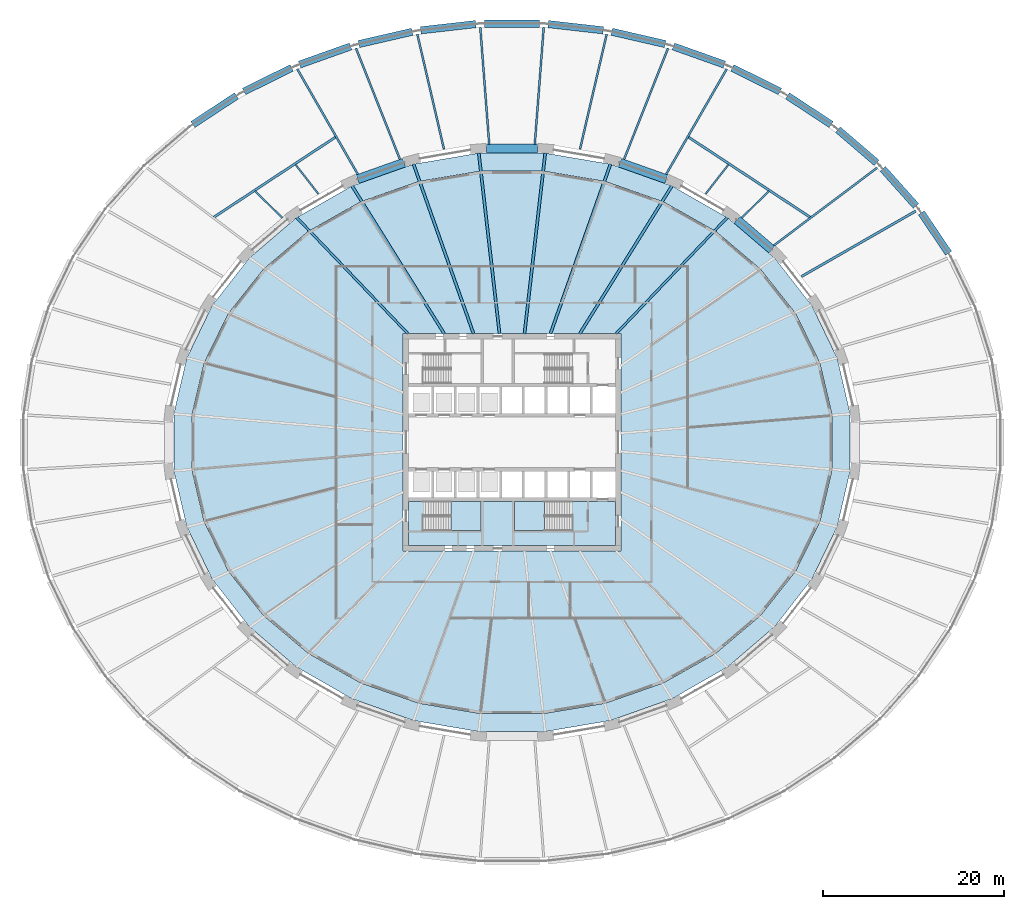
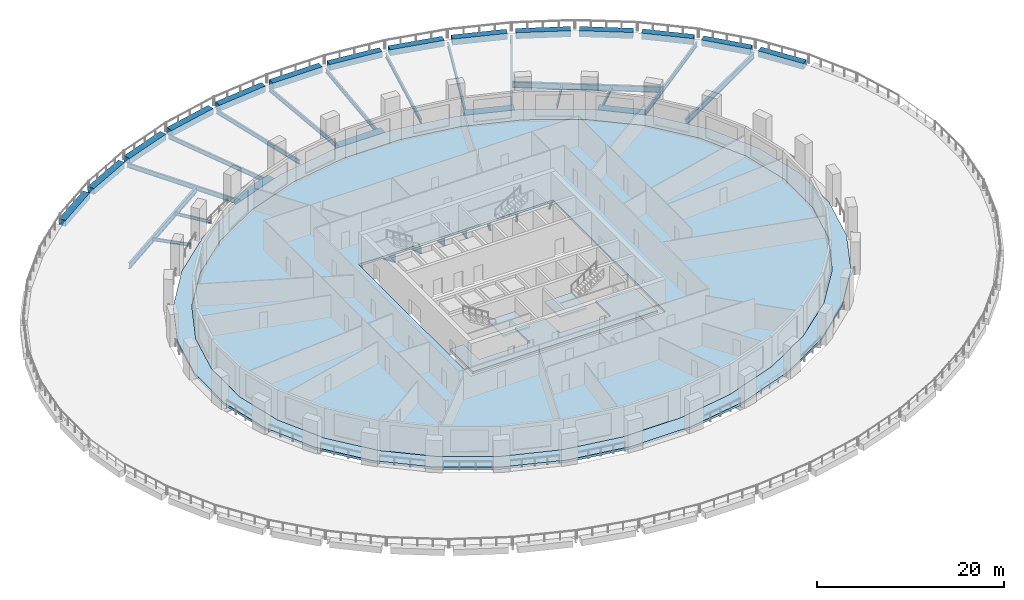
# One storey, part 3 of 16: 42 beams, 5 slabs, 2 elements without a shape of their own.
"""IFC4 building model written with IfcOpenShell, lengths in metres."""

from ifc_helpers import new_model, si_unit, direction, frame, origin, origin_2d, place, context, subcontext, project, spatial, polyline, rectangle, i_section, outline, extrude, material, layer, layer_set, material_profile, profile_set, type_object, element, aggregate, save


model = new_model("IFC4")

# Units and contexts
model_context = context("Model", 3, precision=1e-05, world=origin(), true_north=direction((0.0, 1.0)))
body_context = subcontext(model_context, "Body", "Model", "MODEL_VIEW")
ifc_project = project(units=[si_unit("LENGTHUNIT", "METRE"), si_unit("AREAUNIT", "SQUARE_METRE"), si_unit("VOLUMEUNIT", "CUBIC_METRE"), si_unit("PLANEANGLEUNIT", "RADIAN"), si_unit("MASSUNIT", "GRAM", prefix="KILO")], contexts=[model_context])

# Site, building, storey
site_placement = place(None, origin())
site = spatial("IfcSite", under=ifc_project, at=site_placement, CompositionType="ELEMENT")
building_placement = place(site_placement, origin())
building = spatial("IfcBuilding", under=site, at=building_placement, Name="Halqa Exchange Tower", CompositionType="ELEMENT")
storey_placement = place(building_placement, frame((0.0, 0.0, 23.5)))
storey = spatial("IfcBuildingStorey", under=building, at=storey_placement, Name="L04", CompositionType="ELEMENT", Elevation=23.5)

# Beams
ifc_material_1 = material(Name="Steel S355", Category="steel")
ifc_material_profile_1 = material_profile(ifc_material_1, i_section(OverallWidth=0.300048828125, OverallDepth=0.989990234375, WebThickness=0.0166015625, FlangeThickness=0.031005859375, FilletRadius=0.030029296875, at=origin_2d()), Name="HEA 1000")
ifc_profile_set_1 = profile_set([ifc_material_profile_1], Name="Steel S355")
beam_type_1 = type_object("IfcBeamType", Name="Floor beam HEA 1000", PredefinedType="BEAM", material=ifc_profile_set_1)
beam_1_placement = place(storey_placement, frame((7.46533203125, 11.971435546875, -0.794921875), z_axis=(0.529145823441, 0.848530905468, 0.0), x_axis=(-0.848530905468, 0.529145823441, 0.0)))
element("IfcBeam", 1, at=beam_1_placement, inside=storey, type_object=beam_type_1, Name="Radial beam 6", PredefinedType="BEAM", context=body_context, shape_type="SweptSolid", body=[
    extrude(i_section(OverallWidth=0.300048828125, OverallDepth=0.989990234375, WebThickness=0.0166015625, FlangeThickness=0.031005859375, FilletRadius=0.030029296875, at=origin_2d()), origin(), (0.0, 0.0, 1.0), 19.27294921875),
])
beam_2_placement = place(storey_placement, frame((4.23681640625, 11.971923828125, -0.794921875), z_axis=(0.333633039334, 0.942703025913, 0.0), x_axis=(-0.942703025913, 0.333633039334, 0.0)))
element("IfcBeam", 2, at=beam_2_placement, inside=storey, type_object=beam_type_1, Name="Radial beam 7", PredefinedType="BEAM", context=body_context, shape_type="SweptSolid", body=[
    extrude(i_section(OverallWidth=0.300048828125, OverallDepth=0.989990234375, WebThickness=0.0166015625, FlangeThickness=0.031005859375, FilletRadius=0.030029296875, at=origin_2d()), origin(), (0.0, 0.0, 1.0), 19.885009765625),
])
for number, where, z_axis, x_axis, name in (
    (3, (1.375732421875, 11.972900390625, -0.794921875), (0.114166838833, 0.99346159106, 0.0), (-0.99346159106, 0.114166838833, 0.0), "Radial beam 8"),
    (4, (-1.375732421875, 11.972900390625, -0.794921875), (-0.114166838833, 0.99346159106, 0.0), (-0.99346159106, -0.114166838833, 0.0), "Radial beam 9"),
):
    element("IfcBeam", number, at=place(storey_placement, frame(where, z_axis=z_axis, x_axis=x_axis)), inside=storey, type_object=beam_type_1, Name=name, PredefinedType="BEAM", context=body_context, shape_type="SweptSolid", body=[
        extrude(i_section(OverallWidth=0.300048828125, OverallDepth=0.989990234375, WebThickness=0.0166015625, FlangeThickness=0.031005859375, FilletRadius=0.030029296875, at=origin_2d()), origin(), (0.0, 0.0, 1.0), 20.103515625),
    ])
beam_3_placement = place(storey_placement, frame((-4.23681640625, 11.971923828125, -0.794921875), z_axis=(-0.333633039334, 0.942703025913, 0.0), x_axis=(-0.942703025913, -0.333633039334, 0.0)))
element("IfcBeam", 5, at=beam_3_placement, inside=storey, type_object=beam_type_1, Name="Radial beam 10", PredefinedType="BEAM", context=body_context, shape_type="SweptSolid", body=[
    extrude(i_section(OverallWidth=0.300048828125, OverallDepth=0.989990234375, WebThickness=0.0166015625, FlangeThickness=0.031005859375, FilletRadius=0.030029296875, at=origin_2d()), origin(), (0.0, 0.0, 1.0), 19.885009765625),
])
beam_4_placement = place(storey_placement, frame((-7.46533203125, 11.971435546875, -0.794921875), z_axis=(-0.529145823441, 0.848530905468, 0.0), x_axis=(-0.848530905468, -0.529145823441, 0.0)))
element("IfcBeam", 6, at=beam_4_placement, inside=storey, type_object=beam_type_1, Name="Radial beam 11", PredefinedType="BEAM", context=body_context, shape_type="SweptSolid", body=[
    extrude(i_section(OverallWidth=0.300048828125, OverallDepth=0.989990234375, WebThickness=0.0166015625, FlangeThickness=0.031005859375, FilletRadius=0.030029296875, at=origin_2d()), origin(), (0.0, 0.0, 1.0), 19.27294921875),
])
ifc_material_profile_2 = material_profile(ifc_material_1, i_section(OverallWidth=0.179931640625, OverallDepth=0.39990234375, WebThickness=0.008544921875, FlangeThickness=0.013427734375, FilletRadius=0.02099609375, at=origin_2d()), Name="IPE 400")
ifc_profile_set_2 = profile_set([ifc_material_profile_2], Name="Steel S355")
beam_type_2 = type_object("IfcBeamType", Name="Floor beam IPE 400", PredefinedType="BEAM", material=ifc_profile_set_2)
beam_5_placement = place(storey_placement, frame((25.322265625, 24.757080078125, -0.5), z_axis=(0.71503297556, 0.699090726488, 0.0), x_axis=(-0.699090726488, 0.71503297556, 0.0)))
element("IfcBeam", 7, at=beam_5_placement, inside=storey, type_object=beam_type_2, Name="Radial beam 7a", PredefinedType="BEAM", context=body_context, shape_type="SweptSolid", body=[
    extrude(i_section(OverallWidth=0.179931640625, OverallDepth=0.39990234375, WebThickness=0.008544921875, FlangeThickness=0.013427734375, FilletRadius=0.02099609375, at=origin_2d()), origin(), (0.0, 0.0, 1.0), 4.2265625),
])
for number, where, z_axis, x_axis, name in (
    (8, (21.3603515625, 27.40966796875, -0.5), (0.614710115699, 0.788753113247, 0.0), (-0.788753113247, 0.614710115699, 0.0), "Radial beam 8a"),
    (9, (-21.3603515625, 27.40966796875, -0.5), (-0.614710115699, 0.788753113247, 0.0), (-0.788753113247, -0.614710115699, 0.0), "Radial beam 17a"),
):
    element("IfcBeam", number, at=place(storey_placement, frame(where, z_axis=z_axis, x_axis=x_axis)), inside=storey, type_object=beam_type_2, Name=name, PredefinedType="BEAM", context=body_context, shape_type="SweptSolid", body=[
        extrude(i_section(OverallWidth=0.179931640625, OverallDepth=0.39990234375, WebThickness=0.008544921875, FlangeThickness=0.013427734375, FilletRadius=0.02099609375, at=origin_2d()), origin(), (0.0, 0.0, 1.0), 4.10595703125),
    ])
beam_6_placement = place(storey_placement, frame((-25.322265625, 24.757080078125, -0.5), z_axis=(-0.71503297556, 0.699090726488, 0.0), x_axis=(-0.699090726488, -0.71503297556, 0.0)))
element("IfcBeam", 10, at=beam_6_placement, inside=storey, type_object=beam_type_2, Name="Radial beam 18a", PredefinedType="BEAM", context=body_context, shape_type="SweptSolid", body=[
    extrude(i_section(OverallWidth=0.179931640625, OverallDepth=0.39990234375, WebThickness=0.008544921875, FlangeThickness=0.013427734375, FilletRadius=0.02099609375, at=origin_2d()), origin(), (0.0, 0.0, 1.0), 4.2265625),
])
ifc_material_profile_3 = material_profile(ifc_material_1, i_section(OverallWidth=0.2099609375, OverallDepth=0.550048828125, WebThickness=0.010986328125, FlangeThickness=0.01708984375, FilletRadius=0.02392578125, at=origin_2d()), Name="IPE 550")
ifc_profile_set_3 = profile_set([ifc_material_profile_3], Name="Steel S355")
beam_type_3 = type_object("IfcBeamType", Name="Floor beam IPE 550", PredefinedType="BEAM", material=ifc_profile_set_3)
beam_7_placement = place(storey_placement, frame((12.352294921875, 31.2001953125, -0.574951171875), z_axis=(0.368106640822, 0.929783577497, 0.0), x_axis=(-0.929783577497, 0.368106640822, 0.0)))
element("IfcBeam", 11, at=beam_7_placement, inside=storey, type_object=beam_type_3, Name="Radial beam 10", PredefinedType="BEAM", context=body_context, shape_type="SweptSolid", body=[
    extrude(i_section(OverallWidth=0.2099609375, OverallDepth=0.550048828125, WebThickness=0.010986328125, FlangeThickness=0.01708984375, FilletRadius=0.02392578125, at=origin_2d()), origin(), (0.0, 0.0, 1.0), 13.22412109375),
])
beam_8_placement = place(storey_placement, frame((7.5048828125, 32.35009765625, -0.574951171875), z_axis=(0.2259960959, 0.974128207495, 0.0), x_axis=(-0.974128207495, 0.2259960959, 0.0)))
element("IfcBeam", 12, at=beam_8_placement, inside=storey, type_object=beam_type_3, Name="Radial beam 11", PredefinedType="BEAM", context=body_context, shape_type="SweptSolid", body=[
    extrude(i_section(OverallWidth=0.2099609375, OverallDepth=0.550048828125, WebThickness=0.010986328125, FlangeThickness=0.01708984375, FilletRadius=0.02392578125, at=origin_2d()), origin(), (0.0, 0.0, 1.0), 13.03466796875),
])
for number, where, z_axis, x_axis, name in (
    (13, (2.513916015625, 32.88623046875, -0.574951171875), (0.076223337155, 0.997090769626, 0.0), (-0.997090769626, 0.076223337155, 0.0), "Radial beam 12"),
    (14, (-2.513916015625, 32.88623046875, -0.574951171875), (-0.076223337155, 0.997090769626, 0.0), (-0.997090769626, -0.076223337155, 0.0), "Radial beam 13"),
):
    element("IfcBeam", number, at=place(storey_placement, frame(where, z_axis=z_axis, x_axis=x_axis)), inside=storey, type_object=beam_type_3, Name=name, PredefinedType="BEAM", context=body_context, shape_type="SweptSolid", body=[
        extrude(i_section(OverallWidth=0.2099609375, OverallDepth=0.550048828125, WebThickness=0.010986328125, FlangeThickness=0.01708984375, FilletRadius=0.02392578125, at=origin_2d()), origin(), (0.0, 0.0, 1.0), 12.981689453125),
    ])
beam_9_placement = place(storey_placement, frame((-7.5048828125, 32.35009765625, -0.574951171875), z_axis=(-0.2259960959, 0.974128207495, 0.0), x_axis=(-0.974128207495, -0.2259960959, 0.0)))
element("IfcBeam", 15, at=beam_9_placement, inside=storey, type_object=beam_type_3, Name="Radial beam 14", PredefinedType="BEAM", context=body_context, shape_type="SweptSolid", body=[
    extrude(i_section(OverallWidth=0.2099609375, OverallDepth=0.550048828125, WebThickness=0.010986328125, FlangeThickness=0.01708984375, FilletRadius=0.02392578125, at=origin_2d()), origin(), (0.0, 0.0, 1.0), 13.03466796875),
])
beam_10_placement = place(storey_placement, frame((-12.352294921875, 31.2001953125, -0.574951171875), z_axis=(-0.368106640822, 0.929783577497, 0.0), x_axis=(-0.929783577497, -0.368106640822, 0.0)))
element("IfcBeam", 16, at=beam_10_placement, inside=storey, type_object=beam_type_3, Name="Radial beam 15", PredefinedType="BEAM", context=body_context, shape_type="SweptSolid", body=[
    extrude(i_section(OverallWidth=0.2099609375, OverallDepth=0.550048828125, WebThickness=0.010986328125, FlangeThickness=0.01708984375, FilletRadius=0.02392578125, at=origin_2d()), origin(), (0.0, 0.0, 1.0), 13.22412109375),
])
ifc_material_profile_4 = material_profile(ifc_material_1, i_section(OverallWidth=0.219970703125, OverallDepth=0.60009765625, WebThickness=0.011962890625, FlangeThickness=0.01904296875, FilletRadius=0.02392578125, at=origin_2d()), Name="IPE 600")
ifc_profile_set_4 = profile_set([ifc_material_profile_4], Name="Steel S355")
beam_type_4 = type_object("IfcBeamType", Name="Floor beam IPE 600", PredefinedType="BEAM", material=ifc_profile_set_4)
beam_11_placement = place(storey_placement, frame((28.875732421875, 21.71240234375, -0.60009765625), z_axis=(0.799257291391, 0.600989003359, 0.0), x_axis=(-0.600989003359, 0.799257291391, 0.0)))
element("IfcBeam", 17, at=beam_11_placement, inside=storey, type_object=beam_type_4, Name="Radial beam 6", PredefinedType="BEAM", context=body_context, shape_type="SweptSolid", body=[
    extrude(i_section(OverallWidth=0.219970703125, OverallDepth=0.60009765625, WebThickness=0.011962890625, FlangeThickness=0.01904296875, FilletRadius=0.02392578125, at=origin_2d()), origin(), (0.0, 0.0, 1.0), 14.291259765625),
])
for number, where, z_axis, x_axis, name in (
    (18, (16.996826171875, 29.551513671875, -0.60009765625), (0.498570786865, 0.866848989435, 0.0), (-0.866848989435, 0.498570786865, 0.0), "Radial beam 9"),
    (19, (-16.996826171875, 29.551513671875, -0.60009765625), (-0.498570786865, 0.866848989435, 0.0), (-0.866848989435, -0.498570786865, 0.0), "Radial beam 16"),
):
    element("IfcBeam", number, at=place(storey_placement, frame(where, z_axis=z_axis, x_axis=x_axis)), inside=storey, type_object=beam_type_4, Name=name, PredefinedType="BEAM", context=body_context, shape_type="SweptSolid", body=[
        extrude(i_section(OverallWidth=0.219970703125, OverallDepth=0.60009765625, WebThickness=0.011962890625, FlangeThickness=0.01904296875, FilletRadius=0.02392578125, at=origin_2d()), origin(), (0.0, 0.0, 1.0), 13.438720703125),
    ])
ifc_material_profile_5 = material_profile(ifc_material_1, i_section(OverallWidth=0.264892578125, OverallDepth=0.7529296875, WebThickness=0.01318359375, FlangeThickness=0.01708984375, FilletRadius=0.01708984375, at=origin_2d()), Name="IPE 750x147")
ifc_profile_set_5 = profile_set([ifc_material_profile_5], Name="Steel S355")
beam_type_5 = type_object("IfcBeamType", Name="Floor beam IPE 750x147", PredefinedType="BEAM", material=ifc_profile_set_5)
for number, where, z_axis, x_axis, name in (
    (20, (11.462890625, 11.97216796875, -0.676513671875), (0.691576067347, 0.722303636342, 0.0), (-0.722303636342, 0.691576067347, 0.0), "Radial beam 5"),
    (21, (-11.462890625, 11.97216796875, -0.676513671875), (-0.691576067347, 0.722303636342, 0.0), (-0.722303636342, -0.691576067347, 0.0), "Radial beam 12"),
):
    element("IfcBeam", number, at=place(storey_placement, frame(where, z_axis=z_axis, x_axis=x_axis)), inside=storey, type_object=beam_type_5, Name=name, PredefinedType="BEAM", context=body_context, shape_type="SweptSolid", body=[
        extrude(i_section(OverallWidth=0.264892578125, OverallDepth=0.7529296875, WebThickness=0.01318359375, FlangeThickness=0.01708984375, FilletRadius=0.01708984375, at=origin_2d()), origin(), (0.0, 0.0, 1.0), 17.797607421875),
    ])
beam_12_placement = place(storey_placement, frame((31.942626953125, 18.300048828125, -0.676513671875), z_axis=(0.867691436398, 0.497103179633, 0.0), x_axis=(-0.497103179633, 0.867691436398, 0.0)))
element("IfcBeam", 22, at=beam_12_placement, inside=storey, type_object=beam_type_5, Name="Radial beam 5", PredefinedType="BEAM", context=body_context, shape_type="SweptSolid", body=[
    extrude(i_section(OverallWidth=0.264892578125, OverallDepth=0.7529296875, WebThickness=0.01318359375, FlangeThickness=0.01708984375, FilletRadius=0.01708984375, at=origin_2d()), origin(), (0.0, 0.0, 1.0), 14.555908203125),
])
for number, where, z_axis, x_axis, name in (
    (23, (32.897216796875, 24.83935546875, -0.676513671875), (-0.835206413532, 0.54993658434, 0.0), (-0.54993658434, -0.835206413532, 0.0), "Radial beam TPS1-in"),
    (24, (-19.467041015625, 33.682373046875, -0.676513671875), (-0.835206413532, -0.54993658434, 0.0), (0.54993658434, -0.835206413532, 0.0), "Radial beam TPS3-in"),
):
    element("IfcBeam", number, at=place(storey_placement, frame(where, z_axis=z_axis, x_axis=x_axis)), inside=storey, type_object=beam_type_5, Name=name, PredefinedType="BEAM", context=body_context, shape_type="SweptSolid", body=[
        extrude(i_section(OverallWidth=0.264892578125, OverallDepth=0.7529296875, WebThickness=0.01318359375, FlangeThickness=0.01708984375, FilletRadius=0.01708984375, at=origin_2d()), origin(), (0.0, 0.0, 1.0), 16.080078125),
    ])
ifc_material_2 = material(Name="Concrete C60/75", Category="concrete")
ifc_material_profile_6 = material_profile(ifc_material_2, rectangle(XDim=0.800048828125, YDim=0.800048828125, at=origin_2d()), Name="800 x 800")
ifc_profile_set_6 = profile_set([ifc_material_profile_6], Name="Concrete C60/75")
beam_type_6 = type_object("IfcBeamType", Name="RC podium edge beam 800 x 800 C60/75", PredefinedType="SPANDREL", material=ifc_profile_set_6)
beam_13_placement = place(storey_placement, frame((48.1669921875, 20.8701171875, -0.39990234375), z_axis=(-0.558528358221, 0.829485426673, 0.0), x_axis=(-0.829485426673, -0.558528358221, 0.0)))
element("IfcBeam", 25, at=beam_13_placement, inside=storey, type_object=beam_type_6, Name="Podium edge beam 4", PredefinedType="SPANDREL", context=body_context, shape_type="SweptSolid", body=[
    extrude(rectangle(XDim=0.800048828125, YDim=0.800048828125, at=origin_2d()), origin(), (0.0, 0.0, 1.0), 5.378173828125),
])
beam_14_placement = place(storey_placement, frame((44.58349609375, 26.075927734375, -0.39990234375), z_axis=(-0.666902525907, 0.745144966392, 0.0), x_axis=(-0.745144966392, -0.666902525907, 0.0)))
element("IfcBeam", 26, at=beam_14_placement, inside=storey, type_object=beam_type_6, Name="Podium edge beam 5", PredefinedType="SPANDREL", context=body_context, shape_type="SweptSolid", body=[
    extrude(rectangle(XDim=0.800048828125, YDim=0.800048828125, at=origin_2d()), origin(), (0.0, 0.0, 1.0), 5.501220703125),
])
beam_15_placement = place(storey_placement, frame((40.240478515625, 30.83544921875, -0.39990234375), z_axis=(-0.759174010844, 0.650887717859, 0.0), x_axis=(-0.650887717859, -0.759174010844, 0.0)))
element("IfcBeam", 27, at=beam_15_placement, inside=storey, type_object=beam_type_6, Name="Podium edge beam 6", PredefinedType="SPANDREL", context=body_context, shape_type="SweptSolid", body=[
    extrude(rectangle(XDim=0.800048828125, YDim=0.800048828125, at=origin_2d()), origin(), (0.0, 0.0, 1.0), 5.63427734375),
])
beam_16_placement = place(storey_placement, frame((35.208984375, 35.070556640625, -0.39990234375), z_axis=(-0.835418618456, 0.549614166426, 0.0), x_axis=(-0.549614166426, -0.835418618456, 0.0)))
element("IfcBeam", 28, at=beam_16_placement, inside=storey, type_object=beam_type_6, Name="Podium edge beam 7", PredefinedType="SPANDREL", context=body_context, shape_type="SweptSolid", body=[
    extrude(rectangle(XDim=0.800048828125, YDim=0.800048828125, at=origin_2d()), origin(), (0.0, 0.0, 1.0), 5.760986328125),
])
beam_17_placement = place(storey_placement, frame((29.576904296875, 38.706787109375, -0.39990234375), z_axis=(-0.896205416004, 0.443639326847, 0.0), x_axis=(-0.443639326847, -0.896205416004, 0.0)))
element("IfcBeam", 29, at=beam_17_placement, inside=storey, type_object=beam_type_6, Name="Podium edge beam 8", PredefinedType="SPANDREL", context=body_context, shape_type="SweptSolid", body=[
    extrude(rectangle(XDim=0.800048828125, YDim=0.800048828125, at=origin_2d()), origin(), (0.0, 0.0, 1.0), 5.880126953125),
])
beam_18_placement = place(storey_placement, frame((23.4384765625, 41.683349609375, -0.39990234375), z_axis=(-0.942343471221, 0.334647250469, 0.0), x_axis=(-0.334647250469, -0.942343471221, 0.0)))
element("IfcBeam", 30, at=beam_18_placement, inside=storey, type_object=beam_type_6, Name="Podium edge beam 9", PredefinedType="SPANDREL", context=body_context, shape_type="SweptSolid", body=[
    extrude(rectangle(XDim=0.800048828125, YDim=0.800048828125, at=origin_2d()), origin(), (0.0, 0.0, 1.0), 5.980712890625),
])
beam_19_placement = place(storey_placement, frame((16.89794921875, 43.948486328125, -0.39990234375), z_axis=(-0.974604133477, 0.223934774008, 0.0), x_axis=(-0.223934774008, -0.974604133477, 0.0)))
element("IfcBeam", 31, at=beam_19_placement, inside=storey, type_object=beam_type_6, Name="Podium edge beam 10", PredefinedType="SPANDREL", context=body_context, shape_type="SweptSolid", body=[
    extrude(rectangle(XDim=0.800048828125, YDim=0.800048828125, at=origin_2d()), origin(), (0.0, 0.0, 1.0), 6.05517578125),
])
beam_20_placement = place(storey_placement, frame((10.064453125, 45.46337890625, -0.39990234375), z_axis=(-0.993688954696, 0.112170679393, 0.0), x_axis=(-0.112170679393, -0.993688954696, 0.0)))
element("IfcBeam", 32, at=beam_20_placement, inside=storey, type_object=beam_type_6, Name="Podium edge beam 11", PredefinedType="SPANDREL", context=body_context, shape_type="SweptSolid", body=[
    extrude(rectangle(XDim=0.800048828125, YDim=0.800048828125, at=origin_2d()), origin(), (0.0, 0.0, 1.0), 6.100830078125),
])
beam_21_placement = place(storey_placement, frame((3.05859375, 46.200927734375, -0.39990234375), z_axis=(-1.0, 0.0, 0.0), x_axis=(0.0, -1.0, 0.0)))
element("IfcBeam", 33, at=beam_21_placement, inside=storey, type_object=beam_type_6, Name="Podium edge beam 12", PredefinedType="SPANDREL", context=body_context, shape_type="SweptSolid", body=[
    extrude(rectangle(XDim=0.800048828125, YDim=0.800048828125, at=origin_2d()), origin(), (0.0, 0.0, 1.0), 6.1171875),
])
beam_22_placement = place(storey_placement, frame((-4.002197265625, 46.147705078125, -0.39990234375), z_axis=(-0.993688954696, -0.112170679393, 0.0), x_axis=(0.112170679393, -0.993688954696, 0.0)))
element("IfcBeam", 34, at=beam_22_placement, inside=storey, type_object=beam_type_6, Name="Podium edge beam 13", PredefinedType="SPANDREL", context=body_context, shape_type="SweptSolid", body=[
    extrude(rectangle(XDim=0.800048828125, YDim=0.800048828125, at=origin_2d()), origin(), (0.0, 0.0, 1.0), 6.100830078125),
])
beam_23_placement = place(storey_placement, frame((-10.99658203125, 45.304443359375, -0.39990234375), z_axis=(-0.974604133477, -0.223934774008, 0.0), x_axis=(0.223934774008, -0.974604133477, 0.0)))
element("IfcBeam", 35, at=beam_23_placement, inside=storey, type_object=beam_type_6, Name="Podium edge beam 14", PredefinedType="SPANDREL", context=body_context, shape_type="SweptSolid", body=[
    extrude(rectangle(XDim=0.800048828125, YDim=0.800048828125, at=origin_2d()), origin(), (0.0, 0.0, 1.0), 6.05517578125),
])
beam_24_placement = place(storey_placement, frame((-17.802490234375, 43.684814453125, -0.39990234375), z_axis=(-0.942343471221, -0.334647250469, 0.0), x_axis=(0.334647250469, -0.942343471221, 0.0)))
element("IfcBeam", 36, at=beam_24_placement, inside=storey, type_object=beam_type_6, Name="Podium edge beam 15", PredefinedType="SPANDREL", context=body_context, shape_type="SweptSolid", body=[
    extrude(rectangle(XDim=0.800048828125, YDim=0.800048828125, at=origin_2d()), origin(), (0.0, 0.0, 1.0), 5.980712890625),
])
beam_25_placement = place(storey_placement, frame((-24.30712890625, 41.3154296875, -0.39990234375), z_axis=(-0.896205416004, -0.443639326847, 0.0), x_axis=(0.443639326847, -0.896205416004, 0.0)))
element("IfcBeam", 37, at=beam_25_placement, inside=storey, type_object=beam_type_6, Name="Podium edge beam 16", PredefinedType="SPANDREL", context=body_context, shape_type="SweptSolid", body=[
    extrude(rectangle(XDim=0.800048828125, YDim=0.800048828125, at=origin_2d()), origin(), (0.0, 0.0, 1.0), 5.880126953125),
])
beam_26_placement = place(storey_placement, frame((-30.396240234375, 38.23681640625, -0.39990234375), z_axis=(-0.835418618456, -0.549614166426, 0.0), x_axis=(0.549614166426, -0.835418618456, 0.0)))
element("IfcBeam", 38, at=beam_26_placement, inside=storey, type_object=beam_type_6, Name="Podium edge beam 17", PredefinedType="SPANDREL", context=body_context, shape_type="SweptSolid", body=[
    extrude(rectangle(XDim=0.800048828125, YDim=0.800048828125, at=origin_2d()), origin(), (0.0, 0.0, 1.0), 5.760986328125),
])
ifc_material_profile_7 = material_profile(ifc_material_2, rectangle(XDim=1.0, YDim=0.89990234375, at=origin_2d()), Name="1000 x 900")
ifc_profile_set_7 = profile_set([ifc_material_profile_7], Name="Concrete C60/75")
beam_type_7 = type_object("IfcBeamType", Name="RC spandrel beam 1000 x 900 C60/75", PredefinedType="SPANDREL", material=ifc_profile_set_7)
beam_27_placement = place(storey_placement, frame((28.659423828125, 21.27587890625, -0.449951171875), z_axis=(-0.759263417999, 0.650783421799, 0.0), x_axis=(-0.650783421799, -0.759263417999, 0.0)))
element("IfcBeam", 39, at=beam_27_placement, inside=storey, type_object=beam_type_7, Name="Spandrel 4", PredefinedType="SPANDREL", context=body_context, shape_type="SweptSolid", body=[
    extrude(rectangle(XDim=1.0, YDim=0.89990234375, at=origin_2d()), origin(), (0.0, 0.0, 1.0), 5.056884765625),
])
beam_28_placement = place(storey_placement, frame((17.030029296875, 29.038818359375, -0.449951171875), z_axis=(-0.942357788657, 0.334606930826, 0.0), x_axis=(-0.334606930826, -0.942357788657, 0.0)))
element("IfcBeam", 40, at=beam_28_placement, inside=storey, type_object=beam_type_7, Name="Spandrel 6", PredefinedType="SPANDREL", context=body_context, shape_type="SweptSolid", body=[
    extrude(rectangle(XDim=1.0, YDim=0.89990234375, at=origin_2d()), origin(), (0.0, 0.0, 1.0), 5.429931640625),
])
beam_29_placement = place(storey_placement, frame((2.789794921875, 32.41455078125, -0.449951171875), z_axis=(-1.0, 0.0, 0.0), x_axis=(0.0, -1.0, 0.0)))
element("IfcBeam", 41, at=beam_29_placement, inside=storey, type_object=beam_type_7, Name="Spandrel 8", PredefinedType="SPANDREL", context=body_context, shape_type="SweptSolid", body=[
    extrude(rectangle(XDim=1.0, YDim=0.89990234375, at=origin_2d()), origin(), (0.0, 0.0, 1.0), 5.57958984375),
])
beam_30_placement = place(storey_placement, frame((-11.9130859375, 30.855712890625, -0.449951171875), z_axis=(-0.942357788657, -0.334606930826, 0.0), x_axis=(0.334606930826, -0.942357788657, 0.0)))
element("IfcBeam", 42, at=beam_30_placement, inside=storey, type_object=beam_type_7, Name="Spandrel 10", PredefinedType="SPANDREL", context=body_context, shape_type="SweptSolid", body=[
    extrude(rectangle(XDim=1.0, YDim=0.89990234375, at=origin_2d()), origin(), (0.0, 0.0, 1.0), 5.429931640625),
])

# Slabs
ifc_layer_1 = layer(ifc_material_2, 0.300048828125)
ifc_layer_set_1 = layer_set([ifc_layer_1], Name="Concrete C60/75")
slab_type_1 = type_object("IfcSlabType", Name="Core floor slab 300", PredefinedType="FLOOR", material=ifc_layer_set_1)
slab_1_placement = place(storey_placement, frame((0.0, 0.0, -0.300048828125)))
element("IfcSlab", 43, at=slab_1_placement, inside=storey, type_object=slab_type_1, Name="Core floor slab", PredefinedType="FLOOR", context=body_context, shape_type="SweptSolid", body=[
    extrude(outline(polyline([(-9.699951171875, -9.75), (-3.39990234375, -9.75), (-3.39990234375, -6.5), (0.25, -6.5), (0.25, -9.75), (6.550048828125, -9.75), (6.550048828125, -6.5), (11.39990234375, -6.5), (11.39990234375, -11.39990234375), (-11.39990234375, -11.39990234375), (-11.39990234375, -6.5), (-9.699951171875, -6.5), (-9.699951171875, -9.75)])), origin(), (0.0, 0.0, 1.0), 0.300048828125),
])
ifc_material_3 = material(Name="Concrete C40/50", Category="concrete")
ifc_layer_2 = layer(ifc_material_3, 0.300048828125)
ifc_layer_set_2 = layer_set([ifc_layer_2], Name="Concrete C40/50")
slab_type_2 = type_object("IfcSlabType", Name="RC floor slab 300", PredefinedType="FLOOR", material=ifc_layer_set_2)
slab_2_placement = place(storey_placement, frame((0.0, 0.0, -0.300048828125)))
element("IfcSlab", 44, at=slab_2_placement, inside=storey, type_object=slab_type_2, Name="Floor slab", PredefinedType="FLOOR", context=body_context, shape_type="SweptSolid", body=[
    extrude(outline(polyline([(35.33056640625, 2.952880859375), (33.968505859375, 8.743896484375), (31.298828125, 14.19482421875), (27.4267578125, 19.096435546875), (22.502685546875, 23.260986328125), (16.717529296875, 26.5302734375), (10.29296875, 28.781005859375), (3.475341796875, 29.927978515625), (-3.475341796875, 29.927978515625), (-10.29296875, 28.781005859375), (-16.717529296875, 26.5302734375), (-22.502685546875, 23.260986328125), (-27.4267578125, 19.096435546875), (-31.298828125, 14.19482421875), (-33.968505859375, 8.743896484375), (-35.33056640625, 2.952880859375), (-35.33056640625, -2.952880859375), (-33.968505859375, -8.743896484375), (-31.298828125, -14.19482421875), (-27.4267578125, -19.096435546875), (-22.502685546875, -23.260986328125), (-16.717529296875, -26.5302734375), (-10.29296875, -28.781005859375), (-3.475341796875, -29.927978515625), (3.475341796875, -29.927978515625), (10.29296875, -28.781005859375), (16.717529296875, -26.5302734375), (22.502685546875, -23.260986328125), (27.4267578125, -19.096435546875), (31.298828125, -14.19482421875), (33.968505859375, -8.743896484375), (35.33056640625, -2.952880859375), (35.33056640625, 2.952880859375)]), holes=[polyline([(-12.0, -12.0), (12.0, -12.0), (12.0, 12.0), (-12.0, 12.0), (-12.0, -12.0)])]), origin(), (0.0, 0.0, 1.0), 0.300048828125),
])
ifc_layer_3 = layer(ifc_material_3, 0.300048828125)
ifc_layer_set_3 = layer_set([ifc_layer_3], Name="Concrete C40/50")
slab_type_3 = type_object("IfcSlabType", Name="RC loggia slab 300", PredefinedType="FLOOR", material=ifc_layer_set_3)
slab_3_placement = place(storey_placement, frame((0.0, 0.0, -0.300048828125)))
element("IfcSlab", 45, at=slab_3_placement, inside=storey, type_object=slab_type_3, Name="Loggia slab", PredefinedType="FLOOR", context=body_context, shape_type="SweptSolid", body=[
    extrude(outline(polyline([(37.31689453125, 3.13525390625), (37.31689453125, -3.13525390625), (35.88916015625, -9.28759765625), (33.0859375, -15.088623046875), (29.010986328125, -20.316162109375), (23.8173828125, -24.767578125), (17.70361328125, -28.269287109375), (10.904296875, -30.683349609375), (3.682373046875, -31.91455078125), (-3.682373046875, -31.91455078125), (-10.904296875, -30.683349609375), (-17.70361328125, -28.269287109375), (-23.8173828125, -24.767578125), (-29.010986328125, -20.316162109375), (-33.0859375, -15.088623046875), (-35.88916015625, -9.28759765625), (-37.31689453125, -3.13525390625), (-37.31689453125, 3.13525390625), (-35.88916015625, 9.28759765625), (-33.0859375, 15.088623046875), (-29.010986328125, 20.316162109375), (-23.8173828125, 24.767578125), (-17.70361328125, 28.269287109375), (-10.904296875, 30.683349609375), (-3.682373046875, 31.91455078125), (3.682373046875, 31.91455078125), (10.904296875, 30.683349609375), (17.70361328125, 28.269287109375), (23.8173828125, 24.767578125), (29.010986328125, 20.316162109375), (33.0859375, 15.088623046875), (35.88916015625, 9.28759765625), (37.31689453125, 3.13525390625)]), holes=[polyline([(35.33056640625, 2.952880859375), (33.968505859375, 8.743896484375), (31.298828125, 14.19482421875), (27.4267578125, 19.096435546875), (22.502685546875, 23.260986328125), (16.717529296875, 26.5302734375), (10.29296875, 28.781005859375), (3.475341796875, 29.927978515625), (-3.475341796875, 29.927978515625), (-10.29296875, 28.781005859375), (-16.717529296875, 26.5302734375), (-22.502685546875, 23.260986328125), (-27.4267578125, 19.096435546875), (-31.298828125, 14.19482421875), (-33.968505859375, 8.743896484375), (-35.33056640625, 2.952880859375), (-35.33056640625, -2.952880859375), (-33.968505859375, -8.743896484375), (-31.298828125, -14.19482421875), (-27.4267578125, -19.096435546875), (-22.502685546875, -23.260986328125), (-16.717529296875, -26.5302734375), (-10.29296875, -28.781005859375), (-3.475341796875, -29.927978515625), (3.475341796875, -29.927978515625), (10.29296875, -28.781005859375), (16.717529296875, -26.5302734375), (22.502685546875, -23.260986328125), (27.4267578125, -19.096435546875), (31.298828125, -14.19482421875), (33.968505859375, -8.743896484375), (35.33056640625, -2.952880859375), (35.33056640625, 2.952880859375)])]), origin(), (0.0, 0.0, 1.0), 0.300048828125),
])

# Stair, slab
ifc_material_4 = material(Name="Concrete C30/37", Category="concrete")
stair_type = type_object("IfcStairType", Name="Exit stair 1500 wide", PredefinedType="HALF_TURN_STAIR", material=ifc_material_4)
stair_1_placement = place(storey_placement, origin())
stair_1 = element("IfcStair", 46, at=stair_1_placement, inside=storey, type_object=stair_type, Name="Exit stair ST3", PredefinedType="HALF_TURN_STAIR")
ifc_layer_4 = layer(ifc_material_4, 0.199951171875)
ifc_layer_set_4 = layer_set([ifc_layer_4], Name="Concrete C30/37")
slab_type_4 = type_object("IfcSlabType", Name="Stair landing 200 slab", PredefinedType="LANDING", material=ifc_layer_set_4)
slab_4_placement = place(storey_placement, frame((0.0, 0.0, 1.89990234375)))
slab_4 = element("IfcSlab", 47, at=slab_4_placement, type_object=slab_type_4, Name="ST3 landing 1", PredefinedType="LANDING", context=body_context, shape_type="SweptSolid", body=[
    extrude(outline(polyline([(-6.719970703125, -9.75), (-3.39990234375, -9.75), (-3.39990234375, -6.5), (-6.719970703125, -6.5), (-6.719970703125, -9.75)])), origin(), (0.0, 0.0, 1.0), 0.2001953125),
])
aggregate(stair_1, [slab_4])

stair_2_placement = place(storey_placement, origin())
stair_2 = element("IfcStair", 48, at=stair_2_placement, inside=storey, type_object=stair_type, Name="Exit stair ST4", PredefinedType="HALF_TURN_STAIR")
slab_5_placement = place(storey_placement, frame((0.0, 0.0, 1.89990234375)))
slab_5 = element("IfcSlab", 49, at=slab_5_placement, type_object=slab_type_4, Name="ST4 landing 1", PredefinedType="LANDING", context=body_context, shape_type="SweptSolid", body=[
    extrude(outline(polyline([(0.25, -9.75), (3.570068359375, -9.75), (3.570068359375, -6.5), (0.25, -6.5), (0.25, -9.75)])), origin(), (0.0, 0.0, 1.0), 0.2001953125),
])
aggregate(stair_2, [slab_5])

save(model, "model.ifc")
